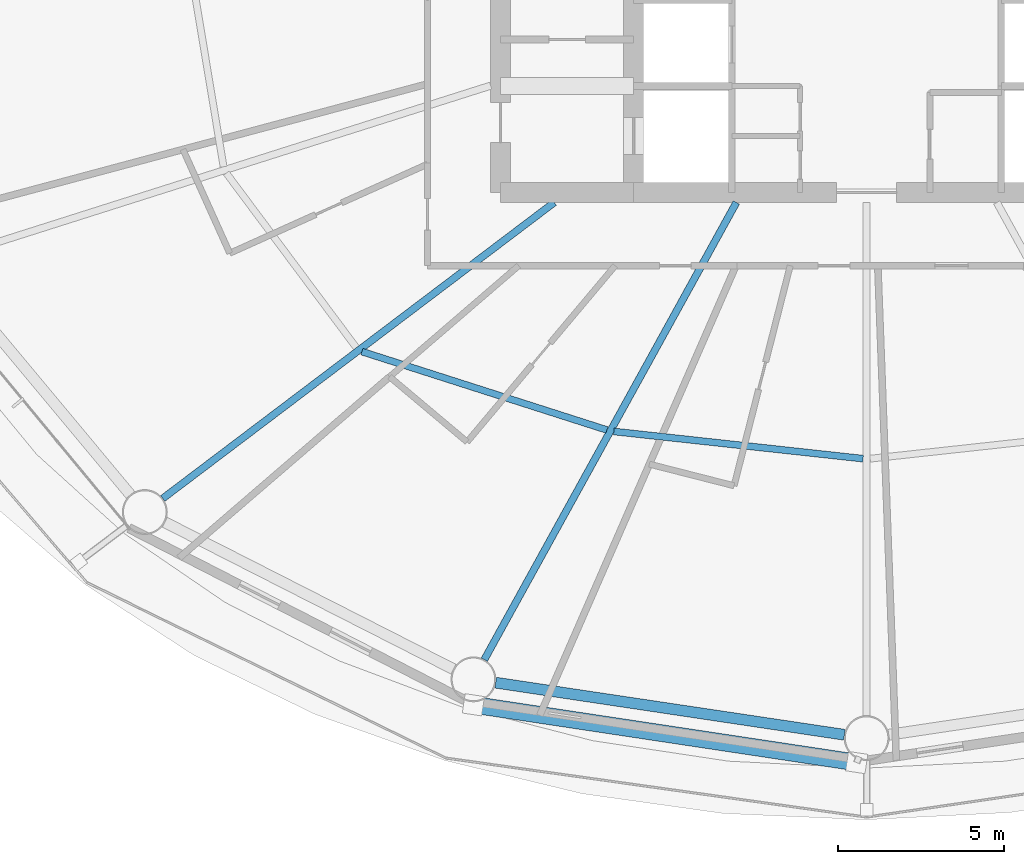
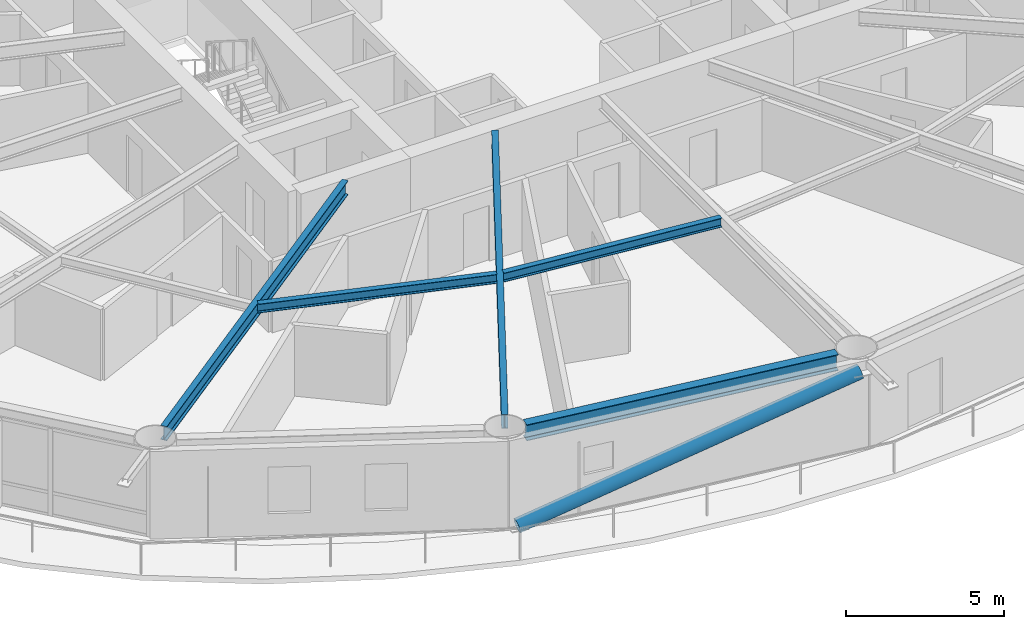
# One storey, part 3 of 26: 5 beams, 1 member.
"""IFC4 building model written with IfcOpenShell, lengths in metres."""

from ifc_helpers import new_model, si_unit, direction, frame, origin, origin_2d, place, context, subcontext, project, spatial, hollow_circle, i_section, extrude, material, material_profile, profile_set, type_object, element, save


model = new_model("IFC4")

# Units and contexts
model_context = context("Model", 3, precision=1e-05, world=origin(), true_north=direction((0.0, 1.0)))
body_context = subcontext(model_context, "Body", "Model", "MODEL_VIEW")
ifc_project = project(units=[si_unit("LENGTHUNIT", "METRE"), si_unit("AREAUNIT", "SQUARE_METRE"), si_unit("VOLUMEUNIT", "CUBIC_METRE"), si_unit("PLANEANGLEUNIT", "RADIAN"), si_unit("MASSUNIT", "GRAM", prefix="KILO")], contexts=[model_context])

# Site, building, storey
site_placement = place(None, origin())
site = spatial("IfcSite", under=ifc_project, at=site_placement, CompositionType="ELEMENT")
building_placement = place(site_placement, origin())
building = spatial("IfcBuilding", under=site, at=building_placement, Name="Sarneth Arch Tower", CompositionType="ELEMENT")
storey_placement = place(building_placement, frame((0.0, 0.0, 46.199951171875)))
storey = spatial("IfcBuildingStorey", under=building, at=storey_placement, Name="L10", CompositionType="ELEMENT", Elevation=46.199951171875)

# Beams
ifc_material_1 = material(Name="Steel S355", Category="steel")
ifc_material_profile_1 = material_profile(ifc_material_1, i_section(OverallWidth=0.2041015625, OverallDepth=0.35009765625, WebThickness=0.008544921875, FlangeThickness=0.01513671875, FilletRadius=0.014892578125, at=origin_2d()), Name="W360x72")
ifc_profile_set_1 = profile_set([ifc_material_profile_1], Name="Steel S355")
beam_type_1 = type_object("IfcBeamType", Name="BM-JOIST-360D", PredefinedType="JOIST", material=ifc_profile_set_1)
beam_1_placement = place(storey_placement, frame((32.82763671875, 30.41845703125, 3.205078125), z_axis=(0.952436240143, -0.304737934073, 0.0), x_axis=(0.304737934073, 0.952436240143, 0.0)))
element("IfcBeam", 1, at=beam_1_placement, inside=storey, type_object=beam_type_1, Name="L10 Secondary floor joist 11", PredefinedType="JOIST", context=body_context, shape_type="SweptSolid", body=[
    extrude(i_section(OverallWidth=0.2041015625, OverallDepth=0.35009765625, WebThickness=0.008544921875, FlangeThickness=0.01513671875, FilletRadius=0.014892578125, at=origin_2d()), origin(), (0.0, 0.0, 1.0), 7.735107421875),
])
beam_2_placement = place(storey_placement, frame((40.403076171875, 28.016845703125, 3.205078125), z_axis=(0.994095251924, -0.108510967657, 0.0), x_axis=(0.108510967657, 0.994095251924, 0.0)))
element("IfcBeam", 2, at=beam_2_placement, inside=storey, type_object=beam_type_1, Name="L10 Secondary floor joist 12", PredefinedType="JOIST", context=body_context, shape_type="SweptSolid", body=[
    extrude(i_section(OverallWidth=0.2041015625, OverallDepth=0.35009765625, WebThickness=0.008544921875, FlangeThickness=0.01513671875, FilletRadius=0.014892578125, at=origin_2d()), origin(), (0.0, 0.0, 1.0), 7.534912109375),
])
ifc_material_2 = material(Name="Steel S355", Category="steel")
ifc_material_profile_2 = material_profile(ifc_material_2, i_section(OverallWidth=0.214111328125, OverallDepth=0.549072265625, WebThickness=0.0146484375, FlangeThickness=0.023681640625, FilletRadius=0.01806640625, at=origin_2d()), Name="W530x138")
ifc_profile_set_2 = profile_set([ifc_material_profile_2], Name="Steel S355")
beam_type_2 = type_object("IfcBeamType", Name="BM-RAD-530A", PredefinedType="BEAM", material=ifc_profile_set_2)
beam_3_placement = place(storey_placement, frame((38.609619140625, 34.89990234375, 3.10546875), z_axis=(-0.797656612852, -0.603111870198, 0.0), x_axis=(0.603111870198, -0.797656612852, 0.0)))
element("IfcBeam", 3, at=beam_3_placement, inside=storey, type_object=beam_type_2, Name="L10 Radial floor girder 11", PredefinedType="BEAM", context=body_context, shape_type="SweptSolid", body=[
    extrude(i_section(OverallWidth=0.214111328125, OverallDepth=0.549072265625, WebThickness=0.0146484375, FlangeThickness=0.023681640625, FilletRadius=0.01806640625, at=origin_2d()), origin(), (0.0, 0.0, 1.0), 14.7529296875),
])
beam_4_placement = place(storey_placement, frame((44.08544921875, 34.89990234375, 3.10546875), z_axis=(-0.482837562311, -0.875709933952, 0.0), x_axis=(0.875709933952, -0.482837562311, 0.0)))
element("IfcBeam", 4, at=beam_4_placement, inside=storey, type_object=beam_type_2, Name="L10 Radial floor girder 12", PredefinedType="BEAM", context=body_context, shape_type="SweptSolid", body=[
    extrude(i_section(OverallWidth=0.214111328125, OverallDepth=0.549072265625, WebThickness=0.0146484375, FlangeThickness=0.023681640625, FilletRadius=0.01806640625, at=origin_2d()), origin(), (0.0, 0.0, 1.0), 15.693359375),
])
ifc_material_3 = material(Name="Steel S355", Category="steel")
ifc_material_profile_3 = material_profile(ifc_material_3, i_section(OverallWidth=0.326904296875, OverallDepth=0.6220703125, WebThickness=0.015380859375, FlangeThickness=0.0244140625, FilletRadius=0.01904296875, at=origin_2d()), Name="W610x195")
ifc_profile_set_3 = profile_set([ifc_material_profile_3], Name="Steel S355")
beam_type_3 = type_object("IfcBeamType", Name="BM-SPAN-610A", PredefinedType="SPANDREL", material=ifc_profile_set_3)
beam_5_placement = place(storey_placement, frame((36.849853515625, 20.46630859375, 3.069091796875), z_axis=(0.989015788086, -0.147809914809, 0.0), x_axis=(0.147809914809, 0.989015788086, 0.0)))
element("IfcBeam", 5, at=beam_5_placement, inside=storey, type_object=beam_type_3, Name="L10 Perimeter spandrel beam 12", PredefinedType="SPANDREL", context=body_context, shape_type="SweptSolid", body=[
    extrude(i_section(OverallWidth=0.326904296875, OverallDepth=0.6220703125, WebThickness=0.015380859375, FlangeThickness=0.0244140625, FilletRadius=0.01904296875, at=origin_2d()), origin(), (0.0, 0.0, 1.0), 10.59912109375),
])

# Member
ifc_material_4 = material(Name="Steel S355", Category="steel")
ifc_material_profile_4 = material_profile(ifc_material_4, hollow_circle(Radius=0.25390625, WallThickness=0.01611328125, at=origin_2d()), Name="CHS508x16")
ifc_profile_set_4 = profile_set([ifc_material_profile_4], Name="Steel S355")
member_type = type_object("IfcMemberType", Name="MEM-DIAG-BR1", PredefinedType="BRACE", material=ifc_profile_set_4)
member_placement = place(storey_placement, frame((36.180419921875, 19.80078125, 0.02001953125), z_axis=(0.957875899759, -0.144316613483, 0.248287083301), x_axis=(0.1489817545, 0.988839944999, 0.0)))
element("IfcMember", 6, at=member_placement, inside=storey, type_object=member_type, Name="L10 Perimeter frame diagonal 12", PredefinedType="BRACE", context=body_context, shape_type="SweptSolid", body=[
    extrude(hollow_circle(Radius=0.25390625, WallThickness=0.01611328125, at=origin_2d()), origin(), (0.0, 0.0, 1.0), 12.02978515625),
])

save(model, "model.ifc")
